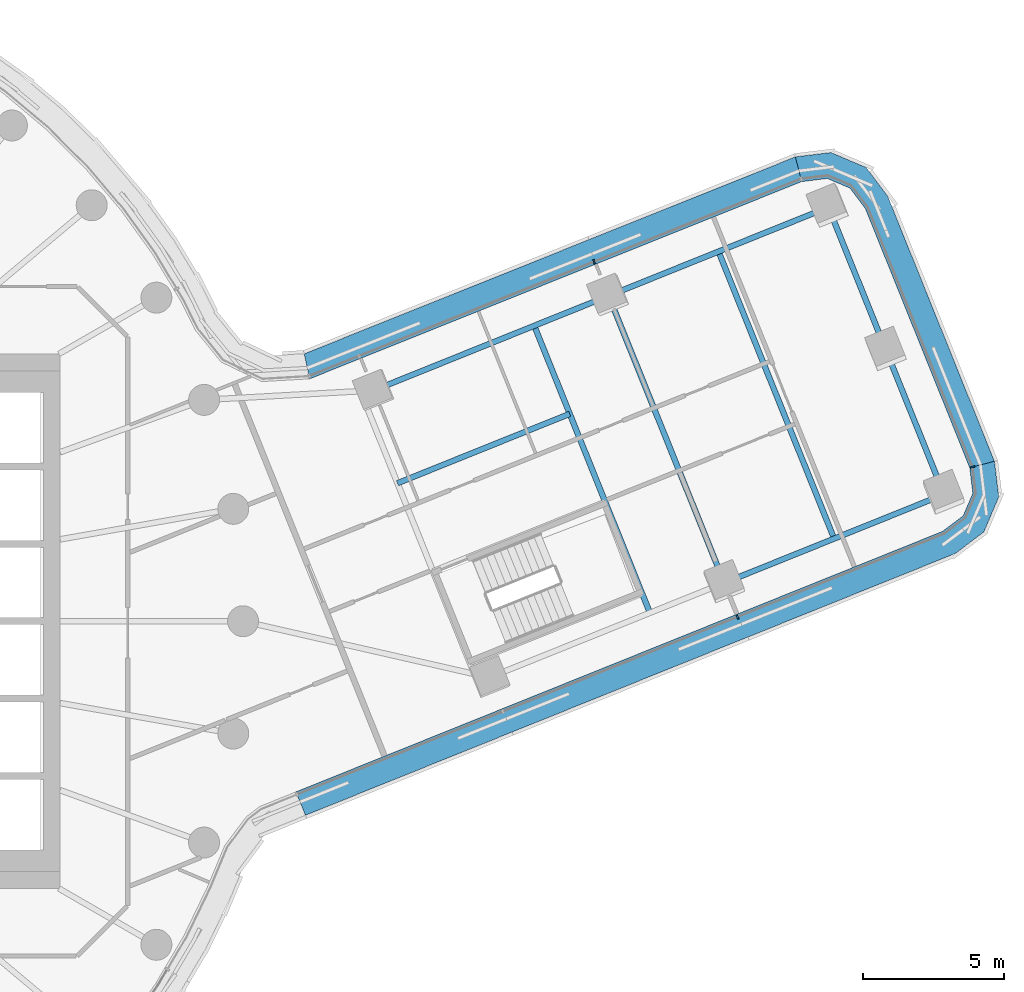
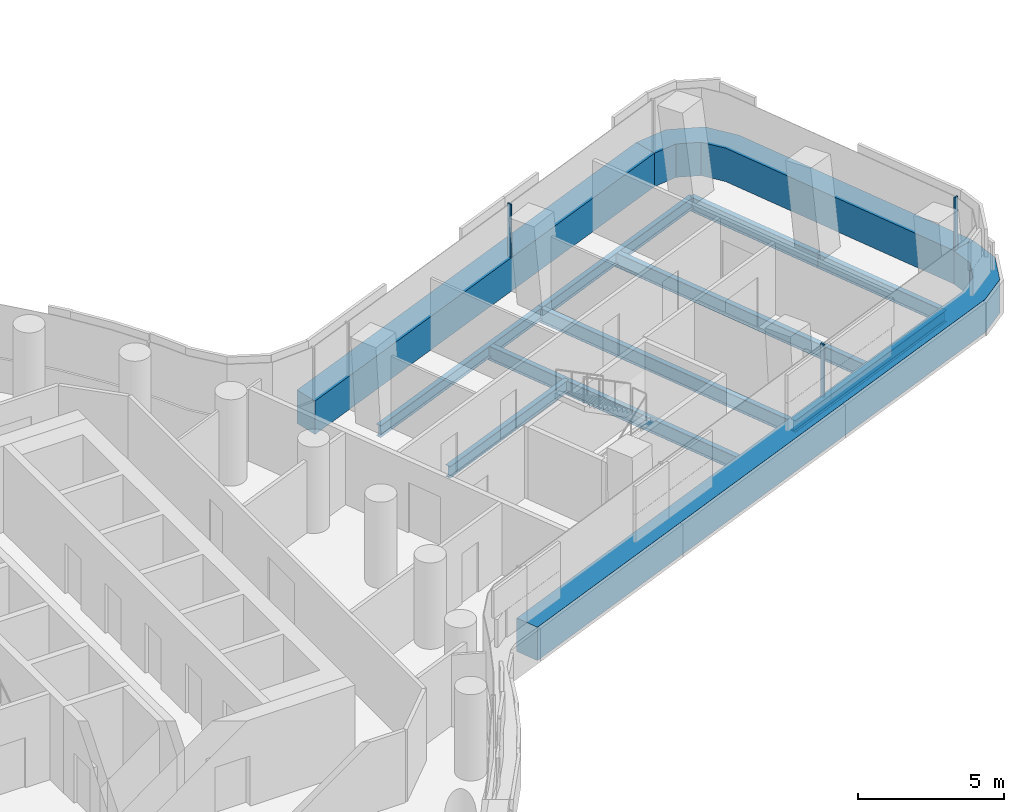
# One storey, part 12 of 32: 9 beams, 6 members, 3 elements without a shape of their own.
"""IFC4 building model written with IfcOpenShell, lengths in metres."""

from ifc_helpers import new_model, si_unit, direction, frame, origin, origin_2d, place, context, subcontext, project, spatial, polyline, rectangle, i_section, outline, extrude, material, layer, layer_set, material_profile, profile_set, type_object, element, aggregate, save


model = new_model("IFC4")

# Units and contexts
model_context = context("Model", 3, precision=1e-05, world=origin(), true_north=direction((0.0, 1.0)))
body_context = subcontext(model_context, "Body", "Model", "MODEL_VIEW")
ifc_project = project(units=[si_unit("LENGTHUNIT", "METRE"), si_unit("AREAUNIT", "SQUARE_METRE"), si_unit("VOLUMEUNIT", "CUBIC_METRE"), si_unit("PLANEANGLEUNIT", "RADIAN"), si_unit("MASSUNIT", "GRAM", prefix="KILO")], contexts=[model_context])

# Site, building, storey
site_placement = place(None, origin())
site = spatial("IfcSite", under=ifc_project, at=site_placement, CompositionType="ELEMENT")
building_placement = place(site_placement, origin())
building = spatial("IfcBuilding", under=site, at=building_placement, Name="Tamarind Cross Interchange Tower", CompositionType="ELEMENT")
storey_placement = place(building_placement, frame((0.0, 0.0, 113.5)))
storey = spatial("IfcBuildingStorey", under=building, at=storey_placement, Name="L27", CompositionType="ELEMENT", Elevation=113.5)

# Beams
ifc_material_1 = material(Name="Steel Q355B", Category="steel")
ifc_material_profile_1 = material_profile(ifc_material_1, i_section(OverallWidth=0.198974609375, OverallDepth=0.49609375, WebThickness=0.009033203125, FlangeThickness=0.013916015625, FilletRadius=0.012939453125, at=origin_2d()), Name="HN 496x199x9x14")
ifc_profile_set_1 = profile_set([ifc_material_profile_1], Name="Steel Q355B")
beam_type_1 = type_object("IfcBeamType", Name="Composite beam HN 496x199x9x14 Q355B", PredefinedType="BEAM", material=ifc_profile_set_1)
for number, where, z_axis, x_axis, name in (
    (1, (47.91259765625, 4.5087890625, -0.387939453125), (-0.927572144084, -0.373644105427, 0.0), (0.373644105427, -0.927572144084, 0.0), "Beam E-edgeem5"),
    (2, (43.802490234375, 14.712158203125, -0.387939453125), (-0.927562095105, -0.373669051066, 0.0), (0.373669051066, -0.927562095105, 0.0), "Beam E-edgeep2"),
):
    element("IfcBeam", number, at=place(storey_placement, frame(where, z_axis=z_axis, x_axis=x_axis)), inside=storey, type_object=beam_type_1, Name=name, PredefinedType="BEAM", context=body_context, shape_type="SweptSolid", body=[
        extrude(i_section(OverallWidth=0.198974609375, OverallDepth=0.49609375, WebThickness=0.009033203125, FlangeThickness=0.013916015625, FilletRadius=0.012939453125, at=origin_2d()), origin(), (0.0, 0.0, 1.0), 8.42041015625),
    ])
beam_1_placement = place(storey_placement, frame((35.991943359375, 11.565673828125, -0.387939453125), z_axis=(-0.92757222343, -0.37364390845, 0.0), x_axis=(0.37364390845, -0.92757222343, 0.0)))
element("IfcBeam", 3, at=beam_1_placement, inside=storey, type_object=beam_type_1, Name="Beam E-edgeep3", PredefinedType="BEAM", context=body_context, shape_type="SweptSolid", body=[
    extrude(i_section(OverallWidth=0.198974609375, OverallDepth=0.49609375, WebThickness=0.009033203125, FlangeThickness=0.013916015625, FilletRadius=0.012939453125, at=origin_2d()), origin(), (0.0, 0.0, 1.0), 9.0),
])
beam_2_placement = place(storey_placement, frame((28.4873046875, 4.904296875, -0.387939453125), z_axis=(0.927573434437, 0.373640902107, 0.0), x_axis=(-0.373640902107, 0.927573434437, 0.0)))
element("IfcBeam", 4, at=beam_2_placement, inside=storey, type_object=beam_type_1, Name="Beam E-stripp", PredefinedType="BEAM", context=body_context, shape_type="SweptSolid", body=[
    extrude(i_section(OverallWidth=0.198974609375, OverallDepth=0.49609375, WebThickness=0.009033203125, FlangeThickness=0.013916015625, FilletRadius=0.012939453125, at=origin_2d()), origin(), (0.0, 0.0, 1.0), 6.60009765625),
])
ifc_material_profile_2 = material_profile(ifc_material_1, i_section(OverallWidth=0.199951171875, OverallDepth=0.60009765625, WebThickness=0.010986328125, FlangeThickness=0.01708984375, FilletRadius=0.012939453125, at=origin_2d()), Name="HN 600x200x11x17")
ifc_profile_set_2 = profile_set([ifc_material_profile_2], Name="Steel Q355B")
beam_type_2 = type_object("IfcBeamType", Name="Composite beam HN 600x200x11x17 Q355B", PredefinedType="BEAM", material=ifc_profile_set_2)
beam_3_placement = place(storey_placement, frame((47.91259765625, 4.5087890625, -0.43994140625), z_axis=(-0.373632062084, 0.927576995285, 0.0), x_axis=(-0.927576995285, -0.373632062084, 0.0)))
element("IfcBeam", 5, at=beam_3_placement, inside=storey, type_object=beam_type_2, Name="Beam E-tip0", PredefinedType="BEAM", context=body_context, shape_type="SweptSolid", body=[
    extrude(i_section(OverallWidth=0.199951171875, OverallDepth=0.60009765625, WebThickness=0.010986328125, FlangeThickness=0.01708984375, FilletRadius=0.012939453125, at=origin_2d()), origin(), (0.0, 0.0, 1.0), 5.5),
])
beam_4_placement = place(storey_placement, frame((45.857666015625, 9.6103515625, -0.43994140625), z_axis=(-0.373654869503, 0.927567808032, 0.0), x_axis=(-0.927567808032, -0.373654869503, 0.0)))
element("IfcBeam", 6, at=beam_4_placement, inside=storey, type_object=beam_type_2, Name="Beam E-tip1", PredefinedType="BEAM", context=body_context, shape_type="SweptSolid", body=[
    extrude(i_section(OverallWidth=0.199951171875, OverallDepth=0.60009765625, WebThickness=0.010986328125, FlangeThickness=0.01708984375, FilletRadius=0.012939453125, at=origin_2d()), origin(), (0.0, 0.0, 1.0), 5.500244140625),
])
beam_5_placement = place(storey_placement, frame((37.45849609375, 0.297607421875, -0.43994140625), z_axis=(-0.373643466151, 0.927572401596, 0.0), x_axis=(-0.927572401596, -0.373643466151, 0.0)))
element("IfcBeam", 7, at=beam_5_placement, inside=storey, type_object=beam_type_2, Name="Beam E-x364", PredefinedType="BEAM", context=body_context, shape_type="SweptSolid", body=[
    extrude(i_section(OverallWidth=0.199951171875, OverallDepth=0.60009765625, WebThickness=0.010986328125, FlangeThickness=0.01708984375, FilletRadius=0.012939453125, at=origin_2d()), origin(), (0.0, 0.0, 1.0), 11.0),
])
beam_6_placement = place(storey_placement, frame((40.10205078125, 1.362548828125, -0.43994140625), z_axis=(-0.373651158478, 0.927569302946, 0.0), x_axis=(-0.927569302946, -0.373651158478, 0.0)))
element("IfcBeam", 8, at=beam_6_placement, inside=storey, type_object=beam_type_2, Name="Beam E-x393", PredefinedType="BEAM", context=body_context, shape_type="SweptSolid", body=[
    extrude(i_section(OverallWidth=0.199951171875, OverallDepth=0.60009765625, WebThickness=0.010986328125, FlangeThickness=0.01708984375, FilletRadius=0.012939453125, at=origin_2d()), origin(), (0.0, 0.0, 1.0), 10.999755859375),
])
beam_7_placement = place(storey_placement, frame((44.00732421875, 2.935546875, -0.43994140625), z_axis=(-0.373643466151, 0.927572401596, 0.0), x_axis=(-0.927572401596, -0.373643466151, 0.0)))
element("IfcBeam", 9, at=beam_7_placement, inside=storey, type_object=beam_type_2, Name="Beam E-x435", PredefinedType="BEAM", context=body_context, shape_type="SweptSolid", body=[
    extrude(i_section(OverallWidth=0.199951171875, OverallDepth=0.60009765625, WebThickness=0.010986328125, FlangeThickness=0.01708984375, FilletRadius=0.012939453125, at=origin_2d()), origin(), (0.0, 0.0, 1.0), 11.0),
])

# Curtain wall, member
ifc_material_2 = material(Name="Aluminium 6063-T6", Category="aluminium")
ifc_layer = layer(ifc_material_2, 0.159912109375)
ifc_layer_set = layer_set([ifc_layer], Name="Aluminium 6063-T6")
curtain_wall_type = type_object("IfcCurtainWallType", Name="Office curtain wall, 9.0 m bays", PredefinedType="NOTDEFINED", material=ifc_layer_set)
curtain_wall_1_placement = place(storey_placement, origin())
curtain_wall_1 = element("IfcCurtainWall", 10, at=curtain_wall_1_placement, inside=storey, type_object=curtain_wall_type, Name="CWS-L27-07", PredefinedType="NOTDEFINED")
ifc_material_3 = material(Name="Aluminium and insulated spandrel panel", Category="aluminium")
member_type_1 = type_object("IfcMemberType", Name="Floor-edge blade transom", PredefinedType="USERDEFINED", material=ifc_material_3)
member_1_placement = place(storey_placement, origin())
member_1 = element("IfcMember", 11, at=member_1_placement, type_object=member_type_1, Name="CWT-L27-07", ObjectType="TRANSOM", PredefinedType="USERDEFINED", context=body_context, shape_type="SweptSolid", body=[
    extrude(outline(polyline([(24.87744140625, -6.06396484375), (47.860595703125, 3.194091796875), (48.59228515625, 3.744384765625), (48.934814453125, 4.548828125), (48.82421875, 5.45751953125), (49.703369140625, 5.68408203125), (49.857421875, 4.418212890625), (49.325927734375, 3.169921875), (48.306884765625, 2.403564453125), (25.215087890625, -6.8984375), (24.87744140625, -6.06396484375)])), origin(), (0.0, 0.0, 1.0), 1.39990234375),
])

curtain_wall_2_placement = place(storey_placement, origin())
curtain_wall_2 = element("IfcCurtainWall", 12, at=curtain_wall_2_placement, inside=storey, type_object=curtain_wall_type, Name="CWS-L27-08", PredefinedType="NOTDEFINED")
member_2_placement = place(storey_placement, origin())
member_2 = element("IfcMember", 13, at=member_2_placement, type_object=member_type_1, Name="CWT-L27-08", ObjectType="TRANSOM", PredefinedType="USERDEFINED", context=body_context, shape_type="SweptSolid", body=[
    extrude(outline(polyline([(48.82421875, 5.45751953125), (45.1171875, 14.66015625), (44.567138671875, 15.3916015625), (43.762451171875, 15.734130859375), (42.853515625, 15.62353515625), (42.6279296875, 16.502685546875), (43.89306640625, 16.65673828125), (45.1416015625, 16.125244140625), (45.90771484375, 15.106201171875), (49.703369140625, 5.68408203125), (48.82421875, 5.45751953125)])), origin(), (0.0, 0.0, 1.0), 1.39990234375),
])

curtain_wall_3_placement = place(storey_placement, origin())
curtain_wall_3 = element("IfcCurtainWall", 14, at=curtain_wall_3_placement, inside=storey, type_object=curtain_wall_type, Name="CWS-L27-09", PredefinedType="NOTDEFINED")
member_3_placement = place(storey_placement, origin())
member_3 = element("IfcMember", 15, at=member_3_placement, type_object=member_type_1, Name="CWT-L27-09", ObjectType="TRANSOM", PredefinedType="USERDEFINED", context=body_context, shape_type="SweptSolid", body=[
    extrude(outline(polyline([(42.853515625, 15.62353515625), (25.369384765625, 8.61376953125), (25.171142578125, 9.50390625), (42.6279296875, 16.502685546875), (42.853515625, 15.62353515625)])), origin(), (0.0, 0.0, 1.0), 1.39990234375),
])

# Member
ifc_material_profile_3 = material_profile(ifc_material_2, rectangle(XDim=0.06005859375, YDim=0.159912109375, at=origin_2d()), Name="Mullion CW1")
ifc_profile_set_3 = profile_set([ifc_material_profile_3], Name="Aluminium 6063-T6")
member_type_2 = type_object("IfcMemberType", Name="Mullion CW1", PredefinedType="MULLION", material=ifc_profile_set_3)
member_4_placement = place(storey_placement, frame((40.571044921875, 0.14990234375, 1.39990234375), z_axis=(0.0, 0.0, 1.0), x_axis=(0.927570416192, 0.373648394893, 0.0)))
member_4 = element("IfcMember", 16, at=member_4_placement, type_object=member_type_2, Name="CWM-L27-07-02", PredefinedType="MULLION", context=body_context, shape_type="SweptSolid", body=[
    extrude(rectangle(XDim=0.06005859375, YDim=0.159912109375, at=origin_2d()), origin(), (0.0, 0.0, 1.0), 2.210205078125),
])

aggregate(curtain_wall_1, [member_4, member_1])

member_5_placement = place(storey_placement, frame((48.921875, 5.482666015625, 1.39990234375), z_axis=(0.0, 0.0, 1.0), x_axis=(-0.249379546636, 0.96840582491, 0.0)))
member_5 = element("IfcMember", 17, at=member_5_placement, type_object=member_type_2, Name="CWM-L27-08-00", PredefinedType="MULLION", context=body_context, shape_type="SweptSolid", body=[
    extrude(rectangle(XDim=0.06005859375, YDim=0.159912109375, at=origin_2d()), origin(), (0.0, 0.0, 1.0), 2.210205078125),
])

aggregate(curtain_wall_2, [member_5, member_2])

member_6_placement = place(storey_placement, frame((35.47412109375, 12.772705078125, 1.39990234375), z_axis=(0.0, 0.0, 1.0), x_axis=(-0.928182933401, -0.372124229448, 0.0)))
member_6 = element("IfcMember", 18, at=member_6_placement, type_object=member_type_2, Name="CWM-L27-09-01", PredefinedType="MULLION", context=body_context, shape_type="SweptSolid", body=[
    extrude(rectangle(XDim=0.06005859375, YDim=0.159912109375, at=origin_2d()), origin(), (0.0, 0.0, 1.0), 2.210205078125),
])

aggregate(curtain_wall_3, [member_6, member_3])

save(model, "model.ifc")
